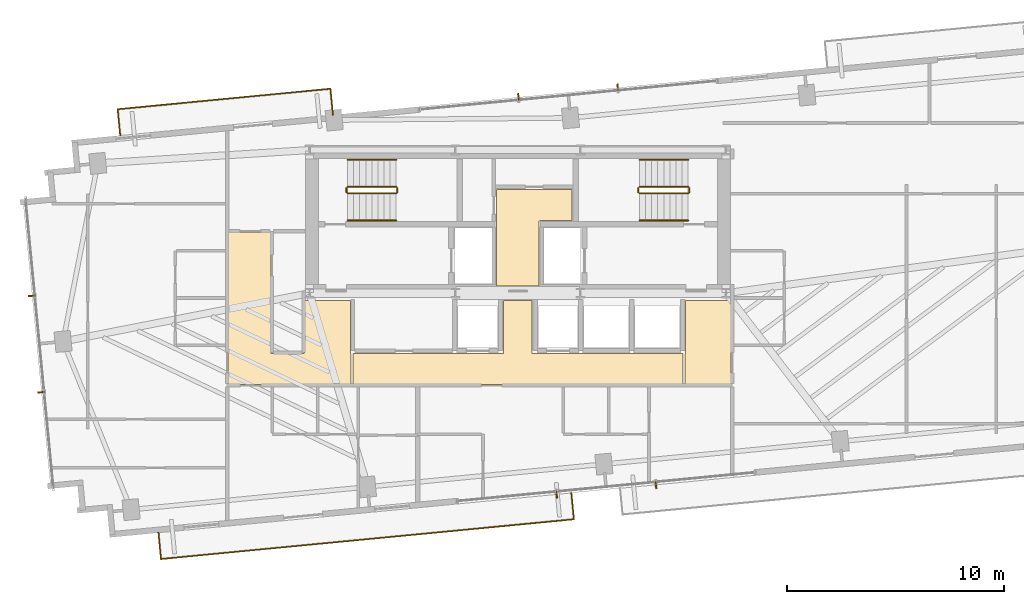
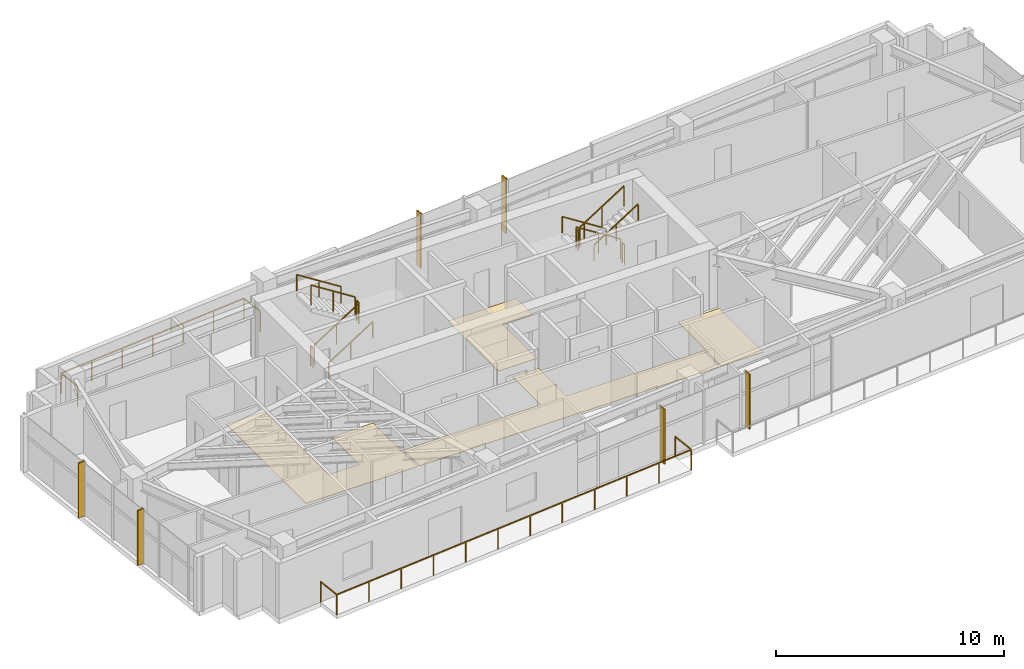
# One storey, part 17 of 18: 14 railings, 6 shading devices, 4 coverings.
"""IFC4 building model written with IfcOpenShell, lengths in metres."""

from ifc_helpers import new_model, si_unit, direction, frame, origin, origin_2d, place, context, subcontext, project, spatial, polyline, rectangle, outline, extrude, source, transform, mapped, material, layer, layer_set, type_object, type_shapes, element, save


model = new_model("IFC4")

# Units and contexts
model_context = context("Model", 3, precision=1e-05, world=origin(), true_north=direction((0.0, 1.0)))
body_context = subcontext(model_context, "Body", "Model", "MODEL_VIEW")
ifc_project = project(units=[si_unit("LENGTHUNIT", "METRE"), si_unit("AREAUNIT", "SQUARE_METRE"), si_unit("VOLUMEUNIT", "CUBIC_METRE"), si_unit("PLANEANGLEUNIT", "RADIAN"), si_unit("MASSUNIT", "GRAM", prefix="KILO")], contexts=[model_context])

# Site, building, storey
site_placement = place(None, origin())
site = spatial("IfcSite", under=ifc_project, at=site_placement, CompositionType="ELEMENT")
building_placement = place(site_placement, origin())
building = spatial("IfcBuilding", under=site, at=building_placement, Name="Astriad Promenade Condominiums", CompositionType="ELEMENT")
storey_placement = place(building_placement, frame((0.0, 0.0, 173.0)))
storey = spatial("IfcBuildingStorey", under=building, at=storey_placement, Name="L49", CompositionType="ELEMENT", Elevation=173.0)

# Coverings
ifc_material_1 = material(Name="Polished Lakefront Terrazzo Flooring")
ifc_layer = layer(ifc_material_1, 0.02001953125)
ifc_layer_set = layer_set([ifc_layer], Name="Polished Lakefront Terrazzo Flooring")
covering_type = type_object("IfcCoveringType", Name="COV-FLOR-TERRAZZO-20", PredefinedType="FLOORING", material=ifc_layer_set)
covering_1_placement = place(storey_placement, origin())
element("IfcCovering", 1, at=covering_1_placement, inside=storey, type_object=covering_type, Name="FLR-L49-CSL", PredefinedType="FLOORING", context=body_context, shape_type="SweptSolid", body=[
    extrude(outline(polyline([(36.97998046875, 20.699951171875), (36.97998046875, 17.739990234375), (35.02001953125, 17.739990234375), (35.02001953125, 22.179931640625), (38.5, 22.179931640625), (38.5, 20.739990234375), (37.02001953125, 20.739990234375), (37.01611328125, 20.73974609375), (37.01220703125, 20.7392578125), (37.00830078125, 20.73828125), (37.004638671875, 20.737060546875), (37.001220703125, 20.7353515625), (36.997802734375, 20.7333984375), (36.99462890625, 20.73095703125), (36.99169921875, 20.728271484375), (36.989013671875, 20.725341796875), (36.98681640625, 20.72216796875), (36.984619140625, 20.718994140625), (36.98291015625, 20.71533203125), (36.981689453125, 20.711669921875), (36.980712890625, 20.707763671875), (36.980224609375, 20.703857421875), (36.97998046875, 20.699951171875)])), origin(), (0.0, 0.0, 1.0), 0.02001953125),
])
covering_2_placement = place(storey_placement, origin())
element("IfcCovering", 2, at=covering_2_placement, inside=storey, type_object=covering_type, Name="FLR-L49-LLB", PredefinedType="FLOORING", context=body_context, shape_type="SweptSolid", body=[
    extrude(outline(polyline([(32.9736328125, 14.6201171875), (32.974609375, 14.619140625), (32.977783203125, 14.61669921875), (32.981201171875, 14.61474609375), (32.984619140625, 14.613037109375), (32.98828125, 14.61181640625), (32.9921875, 14.61083984375), (32.99609375, 14.610107421875), (33.0, 14.610107421875), (35.300048828125, 14.610107421875), (35.303955078125, 14.610107421875), (35.307861328125, 14.61083984375), (35.3115234375, 14.61181640625), (35.315185546875, 14.613037109375), (35.31884765625, 14.61474609375), (35.322265625, 14.61669921875), (35.325439453125, 14.619140625), (35.328369140625, 14.62158203125), (35.330810546875, 14.62451171875), (35.333251953125, 14.627685546875), (35.335205078125, 14.631103515625), (35.3369140625, 14.634765625), (35.33837890625, 14.638427734375), (35.339111328125, 14.64208984375), (35.33984375, 14.64599609375), (35.340087890625, 14.64990234375), (35.340087890625, 17.06005859375), (36.659912109375, 17.06005859375), (36.659912109375, 14.64990234375), (36.66015625, 14.64599609375), (36.660888671875, 14.64208984375), (36.66162109375, 14.638427734375), (36.6630859375, 14.634765625), (36.664794921875, 14.631103515625), (36.666748046875, 14.627685546875), (36.669189453125, 14.62451171875), (36.671630859375, 14.62158203125), (36.674560546875, 14.619140625), (36.677734375, 14.61669921875), (36.68115234375, 14.61474609375), (36.684814453125, 14.613037109375), (36.6884765625, 14.61181640625), (36.692138671875, 14.61083984375), (36.696044921875, 14.610107421875), (36.699951171875, 14.610107421875), (43.610107421875, 14.610107421875), (43.610107421875, 13.18994140625), (28.389892578125, 13.18994140625), (28.389892578125, 14.6201171875), (32.9736328125, 14.6201171875)])), origin(), (0.0, 0.0, 1.0), 0.02001953125),
])
covering_3_placement = place(storey_placement, origin())
element("IfcCovering", 3, at=covering_3_placement, inside=storey, type_object=covering_type, Name="FLR-L49-COR-1", PredefinedType="FLOORING", context=body_context, shape_type="SweptSolid", body=[
    extrude(outline(polyline([(43.699951171875, 13.18994140625), (43.699951171875, 14.610107421875), (43.703857421875, 14.610107421875), (43.707763671875, 14.61083984375), (43.711669921875, 14.61181640625), (43.71533203125, 14.613037109375), (43.718994140625, 14.61474609375), (43.72216796875, 14.61669921875), (43.725341796875, 14.619140625), (43.728271484375, 14.62158203125), (43.73095703125, 14.62451171875), (43.7333984375, 14.627685546875), (43.7353515625, 14.631103515625), (43.737060546875, 14.634765625), (43.73828125, 14.638427734375), (43.7392578125, 14.64208984375), (43.73974609375, 14.64599609375), (43.739990234375, 14.64990234375), (43.739990234375, 17.06005859375), (45.840087890625, 17.06005859375), (45.840087890625, 13.18994140625), (43.699951171875, 13.18994140625)])), origin(), (0.0, 0.0, 1.0), 0.02001953125),
])
covering_4_placement = place(storey_placement, origin())
element("IfcCovering", 4, at=covering_4_placement, inside=storey, type_object=covering_type, Name="FLR-L49-COR-2", PredefinedType="FLOORING", context=body_context, shape_type="SweptSolid", body=[
    extrude(outline(polyline([(28.300048828125, 13.18994140625), (22.639892578125, 13.18994140625), (22.639892578125, 20.2099609375), (24.610107421875, 20.2099609375), (24.610107421875, 14.659912109375), (24.610107421875, 14.656005859375), (24.61083984375, 14.652099609375), (24.61181640625, 14.6484375), (24.613037109375, 14.644775390625), (24.61474609375, 14.64111328125), (24.61669921875, 14.6376953125), (24.619140625, 14.634521484375), (24.62158203125, 14.631591796875), (24.62451171875, 14.629150390625), (24.627685546875, 14.626708984375), (24.631103515625, 14.624755859375), (24.634765625, 14.623046875), (24.638427734375, 14.62158203125), (24.64208984375, 14.620849609375), (24.64599609375, 14.6201171875), (24.64990234375, 14.6201171875), (26.1201171875, 14.6201171875), (26.123779296875, 14.6201171875), (26.127685546875, 14.620849609375), (26.131591796875, 14.62158203125), (26.13525390625, 14.623046875), (26.138916015625, 14.624755859375), (26.14208984375, 14.626708984375), (26.1455078125, 14.629150390625), (26.148193359375, 14.631591796875), (26.15087890625, 14.634521484375), (26.1533203125, 14.6376953125), (26.1552734375, 14.64111328125), (26.156982421875, 14.644775390625), (26.158203125, 14.6484375), (26.1591796875, 14.652099609375), (26.159912109375, 14.656005859375), (26.159912109375, 14.659912109375), (26.159912109375, 17.06005859375), (28.280029296875, 17.06005859375), (28.280029296875, 14.659912109375), (28.2802734375, 14.656005859375), (28.28076171875, 14.652099609375), (28.28173828125, 14.6484375), (28.282958984375, 14.644775390625), (28.28466796875, 14.64111328125), (28.28662109375, 14.6376953125), (28.2890625, 14.634521484375), (28.291748046875, 14.631591796875), (28.294677734375, 14.629150390625), (28.2978515625, 14.626708984375), (28.300048828125, 14.62548828125), (28.300048828125, 13.18994140625)])), origin(), (0.0, 0.0, 1.0), 0.02001953125),
])

# Shading devices
ifc_material_2 = material(Name="Anodised aluminium 6063-T6 Black Fin", Category="aluminium")
shading_device_type = type_object("IfcShadingDeviceType", Name="FIN-BLACK-260", PredefinedType="USERDEFINED", material=ifc_material_2)
shared_shape_1 = source(origin(), body_context, "Body", "SweptSolid", [
    extrude(rectangle(XDim=0.06494140625, YDim=0.320068359375, at=origin_2d()), origin(), (0.0, 0.0, 1.0), 2.93994140625),
])
type_shapes(shading_device_type, [shared_shape_1])
for number, where, z_axis, x_axis, name in (
    (5, (14.021484375, 12.83203125, 0.0), (0.0, 0.0, 1.0), (-0.09584575252, 0.995396198367, 0.0), "CW-L49-W-FIN-01"),
    (6, (13.59326171875, 17.278076171875, 0.0), (0.0, 0.0, 1.0), (-0.09584575252, 0.995396198367, 0.0), "CW-L49-W-FIN-02"),
    (7, (36.02783203125, 26.447265625, 0.0), (0.0, 0.0, 1.0), (0.995396198367, 0.09584575252, 0.0), "CW-L49-N-FIN-01"),
    (8, (40.606689453125, 26.88818359375, 0.0), (0.0, 0.0, 1.0), (0.995396198367, 0.09584575252, 0.0), "CW-L49-N-FIN-02"),
    (9, (42.3720703125, 8.552734375, 0.0), (0.0, 0.0, 1.0), (-0.995396198367, -0.09584575252, 0.0), "CW-L49-S-FIN-01"),
    (10, (37.793212890625, 8.11181640625, 0.0), (0.0, 0.0, 1.0), (-0.995396198367, -0.09584575252, 0.0), "CW-L49-S-FIN-02"),
):
    element("IfcShadingDevice", number, at=place(storey_placement, frame(where, z_axis=z_axis, x_axis=x_axis)), inside=storey, type_object=shading_device_type, Name=name, ObjectType="FIN", PredefinedType="USERDEFINED", context=body_context, shape_type="MappedRepresentation", body=[
        mapped(shared_shape_1, transform((0.0, 0.0, 0.0), scale=1.0)),
    ])

# Railings
ifc_material_3 = material(Name="Laminated Glass and Stainless Steel Balustrade", Category="steel")
railing_type_1 = type_object("IfcRailingType", Name="GRD-BALC-1120", PredefinedType="BALUSTRADE", material=ifc_material_3)
shared_shape_2 = source(origin(), body_context, "Body", "SweptSolid", [
    extrude(rectangle(XDim=0.048095703125, YDim=0.048095703125, at=origin_2d()), frame((0.0, 0.0, 1.09619140625), z_axis=(0.095857307208, -0.99539508571, 0.0), x_axis=(0.99539508571, 0.095857307208, 0.0)), (0.0, 0.0, 1.0), 1.219970703125),
    extrude(rectangle(XDim=0.048095703125, YDim=0.048095703125, at=origin_2d()), frame((0.116943359375, -1.21435546875, 1.09619140625), z_axis=(0.99539639391, 0.095843721707, 0.0), x_axis=(-0.095843721707, 0.99539639391, 0.0)), (0.0, 0.0, 1.0), 19.130126953125),
    extrude(rectangle(XDim=0.048095703125, YDim=0.048095703125, at=origin_2d()), frame((19.158935546875, 0.619140625, 1.09619140625), z_axis=(-0.095857307208, 0.99539508571, 0.0), x_axis=(-0.99539508571, -0.095857307208, 0.0)), (0.0, 0.0, 1.0), 1.219970703125),
    extrude(rectangle(XDim=0.0419921875, YDim=0.0419921875, at=origin_2d()), origin(), (0.0, 0.0, 1.0), 1.072021484375),
    extrude(rectangle(XDim=0.0419921875, YDim=0.0419921875, at=origin_2d()), frame((0.116943359375, -1.21435546875, 0.0)), (0.0, 0.0, 1.0), 1.072021484375),
    extrude(rectangle(XDim=0.0419921875, YDim=0.0419921875, at=origin_2d()), frame((1.84814453125, -1.047607421875, 0.0)), (0.0, 0.0, 1.0), 1.072021484375),
    extrude(rectangle(XDim=0.0419921875, YDim=0.0419921875, at=origin_2d()), frame((3.5791015625, -0.881103515625, 0.0)), (0.0, 0.0, 1.0), 1.072021484375),
    extrude(rectangle(XDim=0.0419921875, YDim=0.0419921875, at=origin_2d()), frame((5.310302734375, -0.71435546875, 0.0)), (0.0, 0.0, 1.0), 1.072021484375),
    extrude(rectangle(XDim=0.0419921875, YDim=0.0419921875, at=origin_2d()), frame((7.041259765625, -0.547607421875, 0.0)), (0.0, 0.0, 1.0), 1.072021484375),
    extrude(rectangle(XDim=0.0419921875, YDim=0.0419921875, at=origin_2d()), frame((8.7724609375, -0.380859375, 0.0)), (0.0, 0.0, 1.0), 1.072021484375),
    extrude(rectangle(XDim=0.0419921875, YDim=0.0419921875, at=origin_2d()), frame((10.50341796875, -0.21435546875, 0.0)), (0.0, 0.0, 1.0), 1.072021484375),
    extrude(rectangle(XDim=0.0419921875, YDim=0.0419921875, at=origin_2d()), frame((12.234619140625, -0.047607421875, 0.0)), (0.0, 0.0, 1.0), 1.072021484375),
    extrude(rectangle(XDim=0.0419921875, YDim=0.0419921875, at=origin_2d()), frame((13.965576171875, 0.119140625, 0.0)), (0.0, 0.0, 1.0), 1.072021484375),
    extrude(rectangle(XDim=0.0419921875, YDim=0.0419921875, at=origin_2d()), frame((15.69677734375, 0.285888671875, 0.0)), (0.0, 0.0, 1.0), 1.072021484375),
    extrude(rectangle(XDim=0.0419921875, YDim=0.0419921875, at=origin_2d()), frame((17.427734375, 0.452392578125, 0.0)), (0.0, 0.0, 1.0), 1.072021484375),
    extrude(rectangle(XDim=0.0419921875, YDim=0.0419921875, at=origin_2d()), frame((19.158935546875, 0.619140625, 0.0)), (0.0, 0.0, 1.0), 1.072021484375),
    extrude(rectangle(XDim=0.0419921875, YDim=0.0419921875, at=origin_2d()), frame((19.0419921875, 1.83349609375, 0.0)), (0.0, 0.0, 1.0), 1.072021484375),
])
railing_1_placement = place(storey_placement, frame((19.42919921875, 6.353759765625, 0.0)))
element("IfcRailing", 11, at=railing_1_placement, inside=storey, type_object=railing_type_1, Name="GRD-BALC-L49-SW", PredefinedType="BALUSTRADE", context=body_context, shape_type="MappedRepresentation", body=[
    mapped(shared_shape_2, transform((0.0, 0.0, 0.0), scale=1.0)),
])
shared_shape_3 = source(origin(), body_context, "Body", "SweptSolid", [
    extrude(rectangle(XDim=0.048095703125, YDim=0.048095703125, at=origin_2d()), frame((0.0, 0.0, 1.09619140625), z_axis=(-0.096055582315, 0.995375971734, 0.0), x_axis=(-0.995375971734, -0.096055582315, 0.0)), (0.0, 0.0, 1.0), 1.219970703125),
    extrude(rectangle(XDim=0.048095703125, YDim=0.048095703125, at=origin_2d()), frame((-0.1171875, 1.21435546875, 1.09619140625), z_axis=(-0.99539395209, -0.095869078138, 0.0), x_axis=(0.095869078138, -0.99539395209, 0.0)), (0.0, 0.0, 1.0), 9.85791015625),
    extrude(rectangle(XDim=0.048095703125, YDim=0.048095703125, at=origin_2d()), frame((-9.9296875, 0.269287109375, 1.09619140625), z_axis=(0.095857307208, -0.99539508571, 0.0), x_axis=(0.99539508571, 0.095857307208, 0.0)), (0.0, 0.0, 1.0), 1.219970703125),
    extrude(rectangle(XDim=0.0419921875, YDim=0.0419921875, at=origin_2d()), origin(), (0.0, 0.0, 1.0), 1.072021484375),
    extrude(rectangle(XDim=0.0419921875, YDim=0.0419921875, at=origin_2d()), frame((-0.1171875, 1.21435546875, 0.0)), (0.0, 0.0, 1.0), 1.072021484375),
    extrude(rectangle(XDim=0.0419921875, YDim=0.0419921875, at=origin_2d()), frame((-1.752685546875, 1.056884765625, 0.0)), (0.0, 0.0, 1.0), 1.072021484375),
    extrude(rectangle(XDim=0.0419921875, YDim=0.0419921875, at=origin_2d()), frame((-3.387939453125, 0.8994140625, 0.0)), (0.0, 0.0, 1.0), 1.072021484375),
    extrude(rectangle(XDim=0.0419921875, YDim=0.0419921875, at=origin_2d()), frame((-5.0234375, 0.74169921875, 0.0)), (0.0, 0.0, 1.0), 1.072021484375),
    extrude(rectangle(XDim=0.0419921875, YDim=0.0419921875, at=origin_2d()), frame((-6.658935546875, 0.584228515625, 0.0)), (0.0, 0.0, 1.0), 1.072021484375),
    extrude(rectangle(XDim=0.0419921875, YDim=0.0419921875, at=origin_2d()), frame((-8.294189453125, 0.4267578125, 0.0)), (0.0, 0.0, 1.0), 1.072021484375),
    extrude(rectangle(XDim=0.0419921875, YDim=0.0419921875, at=origin_2d()), frame((-9.9296875, 0.269287109375, 0.0)), (0.0, 0.0, 1.0), 1.072021484375),
    extrude(rectangle(XDim=0.0419921875, YDim=0.0419921875, at=origin_2d()), frame((-9.812744140625, -0.945068359375, 0.0)), (0.0, 0.0, 1.0), 1.072021484375),
])
type_shapes(railing_type_1, [shared_shape_2, shared_shape_3])
railing_2_placement = place(storey_placement, frame((27.478515625, 25.614013671875, 0.0)))
element("IfcRailing", 12, at=railing_2_placement, inside=storey, type_object=railing_type_1, Name="GRD-BALC-L49-NW", PredefinedType="BALUSTRADE", context=body_context, shape_type="MappedRepresentation", body=[
    mapped(shared_shape_3, transform((0.0, 0.0, 0.0), scale=1.0)),
])
ifc_material_4 = material(Name="Painted Galvanised Steel Guardrail", Category="steel")
railing_type_2 = type_object("IfcRailingType", Name="GRD-STAIR-1100", PredefinedType="GUARDRAIL", material=ifc_material_4)
shared_shape_4 = source(origin(), body_context, "Body", "SweptSolid", [
    extrude(rectangle(XDim=0.048095703125, YDim=0.048095703125, at=origin_2d()), frame((0.0, 0.0, 1.076171875), z_axis=(0.0, 1.0, 0.0), x_axis=(-1.0, 0.0, 0.0)), (0.0, 0.0, 1.0), 0.199951171875),
    extrude(rectangle(XDim=0.0419921875, YDim=0.0419921875, at=origin_2d()), origin(), (0.0, 0.0, 1.0), 1.052001953125),
    extrude(rectangle(XDim=0.0419921875, YDim=0.0419921875, at=origin_2d()), frame((0.0, 0.199951171875, 0.0)), (0.0, 0.0, 1.0), 1.052001953125),
])
for number, where, name in (
    (13, (30.43994140625, 22.050048828125, 1.60009765625), "L49 ST-1 stair guard 2"),
    (14, (28.10009765625, 22.050048828125, 0.0), "L49 ST-1 stair guard 4"),
):
    element("IfcRailing", number, at=place(storey_placement, frame(where)), inside=storey, type_object=railing_type_2, Name=name, PredefinedType="GUARDRAIL", context=body_context, shape_type="MappedRepresentation", body=[
        mapped(shared_shape_4, transform((0.0, 0.0, 0.0), scale=1.0)),
    ])
shared_shape_5 = source(origin(), body_context, "Body", "SweptSolid", [
    extrude(rectangle(XDim=0.048095703125, YDim=0.048095703125, at=origin_2d()), frame((0.0, 0.0, 1.076171875), z_axis=(0.84418770128, 0.0, 0.536047689118), x_axis=(0.0, 1.0, 0.0)), (0.0, 0.0, 1.0), 2.6533203125),
    extrude(rectangle(XDim=0.0419921875, YDim=0.0419921875, at=origin_2d()), origin(), (0.0, 0.0, 1.0), 1.052001953125),
    extrude(rectangle(XDim=0.0419921875, YDim=0.0419921875, at=origin_2d()), frame((1.1201171875, 0.0, 0.711181640625)), (0.0, 0.0, 1.0), 1.052001953125),
    extrude(rectangle(XDim=0.0419921875, YDim=0.0419921875, at=origin_2d()), frame((2.239990234375, 0.0, 1.42236328125)), (0.0, 0.0, 1.0), 1.052001953125),
])
railing_3_placement = place(storey_placement, frame((28.14990234375, 22.0, 0.177734375)))
element("IfcRailing", 15, at=railing_3_placement, inside=storey, type_object=railing_type_2, Name="L49 ST-1 stair guard 1", PredefinedType="GUARDRAIL", context=body_context, shape_type="MappedRepresentation", body=[
    mapped(shared_shape_5, transform((0.0, 0.0, 0.0), scale=1.0)),
])
shared_shape_6 = source(origin(), body_context, "Body", "SweptSolid", [
    extrude(rectangle(XDim=0.048095703125, YDim=0.048095703125, at=origin_2d()), frame((0.0, 0.0, 1.076171875), z_axis=(-0.8442293374, 0.0, 0.53598211339), x_axis=(0.0, -1.0, 0.0)), (0.0, 0.0, 1.0), 2.6533203125),
    extrude(rectangle(XDim=0.0419921875, YDim=0.0419921875, at=origin_2d()), origin(), (0.0, 0.0, 1.0), 1.052001953125),
    extrude(rectangle(XDim=0.0419921875, YDim=0.0419921875, at=origin_2d()), frame((-1.1201171875, 0.0, 0.7109375)), (0.0, 0.0, 1.0), 1.052001953125),
    extrude(rectangle(XDim=0.0419921875, YDim=0.0419921875, at=origin_2d()), frame((-2.239990234375, 0.0, 1.422119140625)), (0.0, 0.0, 1.0), 1.052001953125),
])
railing_4_placement = place(storey_placement, frame((30.389892578125, 22.300048828125, 1.77783203125)))
element("IfcRailing", 16, at=railing_4_placement, inside=storey, type_object=railing_type_2, Name="L49 ST-1 stair guard 3", PredefinedType="GUARDRAIL", context=body_context, shape_type="MappedRepresentation", body=[
    mapped(shared_shape_6, transform((0.0, 0.0, 0.0), scale=1.0)),
])
ifc_material_5 = material(Name="Brushed Stainless Steel Handrail", Category="steel")
railing_type_3 = type_object("IfcRailingType", Name="HRL-STAIR-920", PredefinedType="HANDRAIL", material=ifc_material_5)
shared_shape_7 = source(origin(), body_context, "Body", "SweptSolid", [
    extrude(rectangle(XDim=0.048095703125, YDim=0.048095703125, at=origin_2d()), frame((0.0, 0.0, 0.8759765625), z_axis=(0.84418770128, 0.0, 0.536047689118), x_axis=(0.0, 1.0, 0.0)), (0.0, 0.0, 1.0), 2.6533203125),
    extrude(rectangle(XDim=0.0419921875, YDim=0.0419921875, at=origin_2d()), origin(), (0.0, 0.0, 1.0), 0.851806640625),
    extrude(rectangle(XDim=0.0419921875, YDim=0.0419921875, at=origin_2d()), frame((1.1201171875, 0.0, 0.711181640625)), (0.0, 0.0, 1.0), 0.851806640625),
    extrude(rectangle(XDim=0.0419921875, YDim=0.0419921875, at=origin_2d()), frame((2.239990234375, 0.0, 1.42236328125)), (0.0, 0.0, 1.0), 0.851806640625),
])
railing_5_placement = place(storey_placement, frame((28.14990234375, 20.75, 0.177734375)))
element("IfcRailing", 17, at=railing_5_placement, inside=storey, type_object=railing_type_3, Name="L49 ST-1 stair handrail 1", PredefinedType="HANDRAIL", context=body_context, shape_type="MappedRepresentation", body=[
    mapped(shared_shape_7, transform((0.0, 0.0, 0.0), scale=1.0)),
])
shared_shape_8 = source(origin(), body_context, "Body", "SweptSolid", [
    extrude(rectangle(XDim=0.048095703125, YDim=0.048095703125, at=origin_2d()), frame((0.0, 0.0, 0.8759765625), z_axis=(-0.8442293374, 0.0, 0.53598211339), x_axis=(0.0, -1.0, 0.0)), (0.0, 0.0, 1.0), 2.6533203125),
    extrude(rectangle(XDim=0.0419921875, YDim=0.0419921875, at=origin_2d()), origin(), (0.0, 0.0, 1.0), 0.851806640625),
    extrude(rectangle(XDim=0.0419921875, YDim=0.0419921875, at=origin_2d()), frame((-1.1201171875, 0.0, 0.7109375)), (0.0, 0.0, 1.0), 0.851806640625),
    extrude(rectangle(XDim=0.0419921875, YDim=0.0419921875, at=origin_2d()), frame((-2.239990234375, 0.0, 1.422119140625)), (0.0, 0.0, 1.0), 0.851806640625),
])
railing_6_placement = place(storey_placement, frame((30.389892578125, 23.550048828125, 1.77783203125)))
element("IfcRailing", 18, at=railing_6_placement, inside=storey, type_object=railing_type_3, Name="L49 ST-1 stair handrail 2", PredefinedType="HANDRAIL", context=body_context, shape_type="MappedRepresentation", body=[
    mapped(shared_shape_8, transform((0.0, 0.0, 0.0), scale=1.0)),
])
shared_shape_9 = source(origin(), body_context, "Body", "SweptSolid", [
    extrude(rectangle(XDim=0.048095703125, YDim=0.048095703125, at=origin_2d()), frame((0.0, 0.0, 1.076171875), z_axis=(0.8442293374, 0.0, 0.53598211339), x_axis=(0.0, 1.0, 0.0)), (0.0, 0.0, 1.0), 2.6533203125),
    extrude(rectangle(XDim=0.0419921875, YDim=0.0419921875, at=origin_2d()), origin(), (0.0, 0.0, 1.0), 1.052001953125),
    extrude(rectangle(XDim=0.0419921875, YDim=0.0419921875, at=origin_2d()), frame((1.1201171875, 0.0, 0.7109375)), (0.0, 0.0, 1.0), 1.052001953125),
    extrude(rectangle(XDim=0.0419921875, YDim=0.0419921875, at=origin_2d()), frame((2.239990234375, 0.0, 1.422119140625)), (0.0, 0.0, 1.0), 1.052001953125),
])
railing_7_placement = place(storey_placement, frame((41.610107421875, 22.0, 1.77783203125)))
element("IfcRailing", 19, at=railing_7_placement, inside=storey, type_object=railing_type_2, Name="L49 ST-2 stair guard 3", PredefinedType="GUARDRAIL", context=body_context, shape_type="MappedRepresentation", body=[
    mapped(shared_shape_9, transform((0.0, 0.0, 0.0), scale=1.0)),
])
shared_shape_10 = source(origin(), body_context, "Body", "SweptSolid", [
    extrude(rectangle(XDim=0.048095703125, YDim=0.048095703125, at=origin_2d()), frame((0.0, 0.0, 1.076171875), z_axis=(-0.84418770128, 0.0, 0.536047689118), x_axis=(0.0, -1.0, 0.0)), (0.0, 0.0, 1.0), 2.6533203125),
    extrude(rectangle(XDim=0.0419921875, YDim=0.0419921875, at=origin_2d()), origin(), (0.0, 0.0, 1.0), 1.052001953125),
    extrude(rectangle(XDim=0.0419921875, YDim=0.0419921875, at=origin_2d()), frame((-1.1201171875, 0.0, 0.711181640625)), (0.0, 0.0, 1.0), 1.052001953125),
    extrude(rectangle(XDim=0.0419921875, YDim=0.0419921875, at=origin_2d()), frame((-2.239990234375, 0.0, 1.42236328125)), (0.0, 0.0, 1.0), 1.052001953125),
])
railing_8_placement = place(storey_placement, frame((43.85009765625, 22.300048828125, 0.177734375)))
element("IfcRailing", 20, at=railing_8_placement, inside=storey, type_object=railing_type_2, Name="L49 ST-2 stair guard 1", PredefinedType="GUARDRAIL", context=body_context, shape_type="MappedRepresentation", body=[
    mapped(shared_shape_10, transform((0.0, 0.0, 0.0), scale=1.0)),
])
shared_shape_11 = source(origin(), body_context, "Body", "SweptSolid", [
    extrude(rectangle(XDim=0.048095703125, YDim=0.048095703125, at=origin_2d()), frame((0.0, 0.0, 0.8759765625), z_axis=(0.8442293374, 0.0, 0.53598211339), x_axis=(0.0, 1.0, 0.0)), (0.0, 0.0, 1.0), 2.6533203125),
    extrude(rectangle(XDim=0.0419921875, YDim=0.0419921875, at=origin_2d()), origin(), (0.0, 0.0, 1.0), 0.851806640625),
    extrude(rectangle(XDim=0.0419921875, YDim=0.0419921875, at=origin_2d()), frame((1.1201171875, 0.0, 0.7109375)), (0.0, 0.0, 1.0), 0.851806640625),
    extrude(rectangle(XDim=0.0419921875, YDim=0.0419921875, at=origin_2d()), frame((2.239990234375, 0.0, 1.422119140625)), (0.0, 0.0, 1.0), 0.851806640625),
])
railing_9_placement = place(storey_placement, frame((41.610107421875, 20.75, 1.77783203125)))
element("IfcRailing", 21, at=railing_9_placement, inside=storey, type_object=railing_type_3, Name="L49 ST-2 stair handrail 2", PredefinedType="HANDRAIL", context=body_context, shape_type="MappedRepresentation", body=[
    mapped(shared_shape_11, transform((0.0, 0.0, 0.0), scale=1.0)),
])
shared_shape_12 = source(origin(), body_context, "Body", "SweptSolid", [
    extrude(rectangle(XDim=0.048095703125, YDim=0.048095703125, at=origin_2d()), frame((0.0, 0.0, 0.8759765625), z_axis=(-0.84418770128, 0.0, 0.536047689118), x_axis=(0.0, -1.0, 0.0)), (0.0, 0.0, 1.0), 2.6533203125),
    extrude(rectangle(XDim=0.0419921875, YDim=0.0419921875, at=origin_2d()), origin(), (0.0, 0.0, 1.0), 0.851806640625),
    extrude(rectangle(XDim=0.0419921875, YDim=0.0419921875, at=origin_2d()), frame((-1.1201171875, 0.0, 0.711181640625)), (0.0, 0.0, 1.0), 0.851806640625),
    extrude(rectangle(XDim=0.0419921875, YDim=0.0419921875, at=origin_2d()), frame((-2.239990234375, 0.0, 1.42236328125)), (0.0, 0.0, 1.0), 0.851806640625),
])
type_shapes(railing_type_3, [shared_shape_7, shared_shape_8, shared_shape_11, shared_shape_12])
railing_10_placement = place(storey_placement, frame((43.85009765625, 23.550048828125, 0.177734375)))
element("IfcRailing", 22, at=railing_10_placement, inside=storey, type_object=railing_type_3, Name="L49 ST-2 stair handrail 1", PredefinedType="HANDRAIL", context=body_context, shape_type="MappedRepresentation", body=[
    mapped(shared_shape_12, transform((0.0, 0.0, 0.0), scale=1.0)),
])
shared_shape_13 = source(origin(), body_context, "Body", "SweptSolid", [
    extrude(rectangle(XDim=0.048095703125, YDim=0.048095703125, at=origin_2d()), frame((0.0, 0.0, 1.076171875), z_axis=(0.0, -1.0, 0.0), x_axis=(1.0, 0.0, 0.0)), (0.0, 0.0, 1.0), 0.199951171875),
    extrude(rectangle(XDim=0.0419921875, YDim=0.0419921875, at=origin_2d()), origin(), (0.0, 0.0, 1.0), 1.052001953125),
    extrude(rectangle(XDim=0.0419921875, YDim=0.0419921875, at=origin_2d()), frame((0.0, -0.199951171875, 0.0)), (0.0, 0.0, 1.0), 1.052001953125),
])
type_shapes(railing_type_2, [shared_shape_4, shared_shape_5, shared_shape_6, shared_shape_9, shared_shape_10, shared_shape_13])
for number, where, name in (
    (23, (41.56005859375, 22.25, 1.60009765625), "L49 ST-2 stair guard 2"),
    (24, (43.89990234375, 22.25, 0.0), "L49 ST-2 stair guard 4"),
):
    element("IfcRailing", number, at=place(storey_placement, frame(where)), inside=storey, type_object=railing_type_2, Name=name, PredefinedType="GUARDRAIL", context=body_context, shape_type="MappedRepresentation", body=[
        mapped(shared_shape_13, transform((0.0, 0.0, 0.0), scale=1.0)),
    ])

save(model, "model.ifc")
